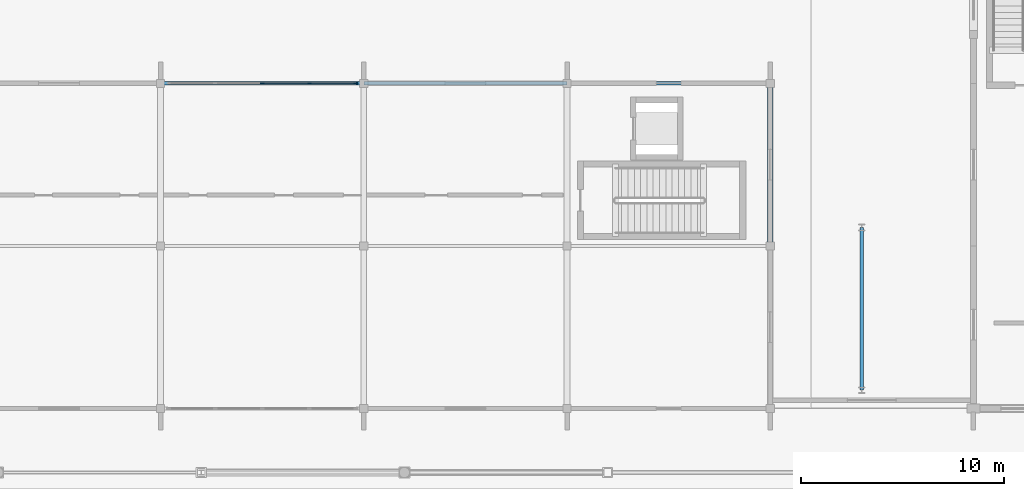
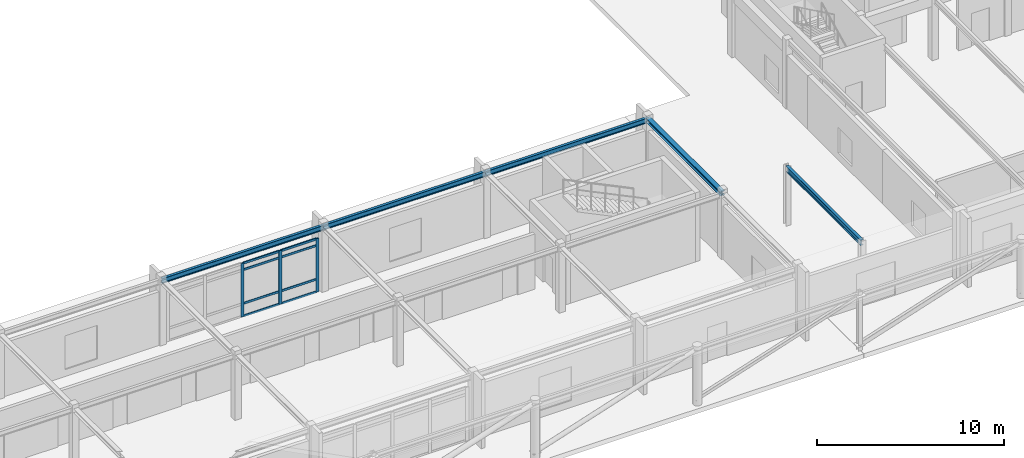
# One storey, part 11 of 61: 11 members, 5 beams, 1 element without a shape of its own.
"""IFC4 building model written with IfcOpenShell, lengths in metres."""

from ifc_helpers import new_model, si_unit, direction, frame, origin, origin_2d, place, context, subcontext, project, spatial, rectangle, i_section, extrude, material, material_profile, profile_set, type_object, element, aggregate, save


model = new_model("IFC4")

# Units and contexts
model_context = context("Model", 3, precision=1e-05, world=origin(), true_north=direction((0.0, 1.0)))
body_context = subcontext(model_context, "Body", "Model", "MODEL_VIEW")
ifc_project = project(units=[si_unit("LENGTHUNIT", "METRE"), si_unit("AREAUNIT", "SQUARE_METRE"), si_unit("VOLUMEUNIT", "CUBIC_METRE"), si_unit("PLANEANGLEUNIT", "RADIAN"), si_unit("MASSUNIT", "GRAM", prefix="KILO")], contexts=[model_context])

# Site, building, storey
site_placement = place(None, origin())
site = spatial("IfcSite", under=ifc_project, at=site_placement, CompositionType="ELEMENT")
building_placement = place(site_placement, origin())
building = spatial("IfcBuilding", under=site, at=building_placement, Name="Zimvara Arc Housing Community", CompositionType="ELEMENT")
storey_placement = place(building_placement, origin())
storey = spatial("IfcBuildingStorey", under=building, at=storey_placement, Name="L00", CompositionType="ELEMENT", Elevation=0.0)

# Beams
ifc_material_1 = material(Name="Steel S355", Category="steel")
ifc_material_profile_1 = material_profile(ifc_material_1, i_section(OverallWidth=0.280029296875, OverallDepth=0.27001953125, WebThickness=0.008056640625, FlangeThickness=0.012939453125, FilletRadius=0.02392578125, at=origin_2d()), Name="HEA 280")
ifc_profile_set_1 = profile_set([ifc_material_profile_1], Name="Steel S355")
beam_type_1 = type_object("IfcBeamType", Name="BM-ST-HEA280", PredefinedType="BEAM", material=ifc_profile_set_1)
beam_1_placement = place(storey_placement, frame((58.0, 11.60009765625, 4.1201171875), z_axis=(0.0, 1.0, 0.0), x_axis=(-1.0, 0.0, 0.0)))
element("IfcBeam", 1, at=beam_1_placement, inside=storey, type_object=beam_type_1, Name="bm:shops:L00:y:x6:b1", PredefinedType="BEAM", context=body_context, shape_type="SweptSolid", body=[
    extrude(i_section(OverallWidth=0.280029296875, OverallDepth=0.27001953125, WebThickness=0.008056640625, FlangeThickness=0.012939453125, FilletRadius=0.02392578125, at=origin_2d()), origin(), (0.0, 0.0, 1.0), 8.0),
])
ifc_material_2 = material(Name="Steel S355", Category="steel")
ifc_material_profile_2 = material_profile(ifc_material_2, i_section(OverallWidth=0.159912109375, OverallDepth=0.330078125, WebThickness=0.007568359375, FlangeThickness=0.011474609375, FilletRadius=0.01806640625, at=origin_2d()), Name="IPE 330")
ifc_profile_set_2 = profile_set([ifc_material_profile_2], Name="Steel S355")
beam_type_2 = type_object("IfcBeamType", Name="BM-ST-IPE330", PredefinedType="BEAM", material=ifc_profile_set_2)
for number, where, z_axis, x_axis, name in (
    (2, (28.0, 19.60009765625, 4.090087890625), (1.0, 0.0, 0.0), (0.0, 1.0, 0.0), "bm:shops:L00:x:y2:b3"),
    (3, (38.0, 19.60009765625, 4.090087890625), (1.0, 0.0, 0.0), (0.0, 1.0, 0.0), "bm:shops:L00:x:y2:b4"),
    (4, (48.0, 19.60009765625, 4.090087890625), (1.0, 0.0, 0.0), (0.0, 1.0, 0.0), "bm:shops:L00:x:y2:b5"),
):
    element("IfcBeam", number, at=place(storey_placement, frame(where, z_axis=z_axis, x_axis=x_axis)), inside=storey, type_object=beam_type_2, Name=name, PredefinedType="BEAM", context=body_context, shape_type="SweptSolid", body=[
        extrude(i_section(OverallWidth=0.159912109375, OverallDepth=0.330078125, WebThickness=0.007568359375, FlangeThickness=0.011474609375, FilletRadius=0.01806640625, at=origin_2d()), origin(), (0.0, 0.0, 1.0), 10.0),
    ])
ifc_material_3 = material(Name="Steel S355", Category="steel")
ifc_material_profile_3 = material_profile(ifc_material_3, i_section(OverallWidth=0.169921875, OverallDepth=0.360107421875, WebThickness=0.008056640625, FlangeThickness=0.0126953125, FilletRadius=0.01806640625, at=origin_2d()), Name="IPE 360")
ifc_profile_set_3 = profile_set([ifc_material_profile_3], Name="Steel S355")
beam_type_3 = type_object("IfcBeamType", Name="BM-ST-IPE360", PredefinedType="BEAM", material=ifc_profile_set_3)
beam_2_placement = place(storey_placement, frame((62.5, 4.5, 3.64990234375), z_axis=(0.0, 1.0, 0.0), x_axis=(-1.0, 0.0, 0.0)))
element("IfcBeam", 5, at=beam_2_placement, inside=storey, type_object=beam_type_3, Name="bm:portal:L00:w", PredefinedType="BEAM", context=body_context, shape_type="SweptSolid", body=[
    extrude(i_section(OverallWidth=0.169921875, OverallDepth=0.360107421875, WebThickness=0.008056640625, FlangeThickness=0.0126953125, FilletRadius=0.01806640625, at=origin_2d()), origin(), (0.0, 0.0, 1.0), 8.0),
])

# Curtain wall, members
ifc_material_4 = material(Name="Anodised Aluminium AW-6063", Category="aluminium")
curtain_wall_type = type_object("IfcCurtainWallType", Name="CW-SYS-06", PredefinedType="USERDEFINED", material=ifc_material_4)
curtain_wall_placement = place(storey_placement, origin())
curtain_wall = element("IfcCurtainWall", 6, at=curtain_wall_placement, inside=storey, type_object=curtain_wall_type, Name="cw:shops:L00:north:b3", ObjectType="CURTAIN WALL", PredefinedType="USERDEFINED")
ifc_material_5 = material(Name="Anodised Aluminium AW-6063", Category="aluminium")
ifc_material_profile_4 = material_profile(ifc_material_5, rectangle(XDim=0.06494140625, YDim=0.179931640625, at=origin_2d()), Name="ALU 65x180")
ifc_profile_set_4 = profile_set([ifc_material_profile_4], Name="Anodised Aluminium AW-6063")
member_type_1 = type_object("IfcMemberType", Name="CWM-65x150", PredefinedType="MULLION", material=ifc_profile_set_4)
member_1_placement = place(storey_placement, frame((33.0, 19.60009765625, 0.0), z_axis=(0.0, 0.0, 1.0), x_axis=(0.0, 1.0, 0.0)))
member_1 = element("IfcMember", 7, at=member_1_placement, type_object=member_type_1, Name="CW06 mullion 3", PredefinedType="MULLION", context=body_context, shape_type="SweptSolid", body=[
    extrude(rectangle(XDim=0.06494140625, YDim=0.179931640625, at=origin_2d()), origin(), (0.0, 0.0, 1.0), 3.5),
])
member_2_placement = place(storey_placement, frame((35.320068359375, 19.60009765625, 0.0), z_axis=(0.0, 0.0, 1.0), x_axis=(0.0, 1.0, 0.0)))
member_2 = element("IfcMember", 8, at=member_2_placement, type_object=member_type_1, Name="CW06 mullion 4", PredefinedType="MULLION", context=body_context, shape_type="SweptSolid", body=[
    extrude(rectangle(XDim=0.06494140625, YDim=0.179931640625, at=origin_2d()), origin(), (0.0, 0.0, 1.0), 3.5),
])
member_3_placement = place(storey_placement, frame((37.607421875, 19.60009765625, 0.0), z_axis=(0.0, 0.0, 1.0), x_axis=(0.0, 1.0, 0.0)))
member_3 = element("IfcMember", 9, at=member_3_placement, type_object=member_type_1, Name="CW06 mullion 5", PredefinedType="MULLION", context=body_context, shape_type="SweptSolid", body=[
    extrude(rectangle(XDim=0.06494140625, YDim=0.179931640625, at=origin_2d()), origin(), (0.0, 0.0, 1.0), 3.5),
])
ifc_material_6 = material(Name="Anodised Aluminium AW-6063", Category="aluminium")
ifc_material_profile_5 = material_profile(ifc_material_6, rectangle(XDim=0.06494140625, YDim=0.139892578125, at=origin_2d()), Name="ALU 65x140")
ifc_profile_set_5 = profile_set([ifc_material_profile_5], Name="Anodised Aluminium AW-6063")
member_type_2 = type_object("IfcMemberType", Name="CWT-65x120", PredefinedType="USERDEFINED", material=ifc_profile_set_5)
member_4_placement = place(storey_placement, frame((33.032470703125, 19.60009765625, 0.032470703125), z_axis=(1.0, 0.0, 0.0), x_axis=(0.0, 1.0, 0.0)))
member_4 = element("IfcMember", 10, at=member_4_placement, type_object=member_type_2, Name="CW06 transom 3.1", ObjectType="TRANSOM", PredefinedType="USERDEFINED", context=body_context, shape_type="SweptSolid", body=[
    extrude(rectangle(XDim=0.06494140625, YDim=0.139892578125, at=origin_2d()), origin(), (0.0, 0.0, 1.0), 2.255126953125),
])
member_5_placement = place(storey_placement, frame((33.032470703125, 19.60009765625, 0.85009765625), z_axis=(1.0, 0.0, 0.0), x_axis=(0.0, 1.0, 0.0)))
member_5 = element("IfcMember", 11, at=member_5_placement, type_object=member_type_2, Name="CW06 transom 3.2", ObjectType="TRANSOM", PredefinedType="USERDEFINED", context=body_context, shape_type="SweptSolid", body=[
    extrude(rectangle(XDim=0.06494140625, YDim=0.139892578125, at=origin_2d()), origin(), (0.0, 0.0, 1.0), 2.255126953125),
])
member_6_placement = place(storey_placement, frame((33.032470703125, 19.60009765625, 3.050048828125), z_axis=(1.0, 0.0, 0.0), x_axis=(0.0, 1.0, 0.0)))
member_6 = element("IfcMember", 12, at=member_6_placement, type_object=member_type_2, Name="CW06 transom 3.3", ObjectType="TRANSOM", PredefinedType="USERDEFINED", context=body_context, shape_type="SweptSolid", body=[
    extrude(rectangle(XDim=0.06494140625, YDim=0.139892578125, at=origin_2d()), origin(), (0.0, 0.0, 1.0), 2.255126953125),
])
member_7_placement = place(storey_placement, frame((33.032470703125, 19.60009765625, 3.467529296875), z_axis=(1.0, 0.0, 0.0), x_axis=(0.0, 1.0, 0.0)))
member_7 = element("IfcMember", 13, at=member_7_placement, type_object=member_type_2, Name="CW06 transom 3.4", ObjectType="TRANSOM", PredefinedType="USERDEFINED", context=body_context, shape_type="SweptSolid", body=[
    extrude(rectangle(XDim=0.06494140625, YDim=0.139892578125, at=origin_2d()), origin(), (0.0, 0.0, 1.0), 2.255126953125),
])
member_8_placement = place(storey_placement, frame((35.3525390625, 19.60009765625, 0.032470703125), z_axis=(1.0, 0.0, 0.0), x_axis=(0.0, 1.0, 0.0)))
member_8 = element("IfcMember", 14, at=member_8_placement, type_object=member_type_2, Name="CW06 transom 4.1", ObjectType="TRANSOM", PredefinedType="USERDEFINED", context=body_context, shape_type="SweptSolid", body=[
    extrude(rectangle(XDim=0.06494140625, YDim=0.139892578125, at=origin_2d()), origin(), (0.0, 0.0, 1.0), 2.222412109375),
])
member_9_placement = place(storey_placement, frame((35.3525390625, 19.60009765625, 0.85009765625), z_axis=(1.0, 0.0, 0.0), x_axis=(0.0, 1.0, 0.0)))
member_9 = element("IfcMember", 15, at=member_9_placement, type_object=member_type_2, Name="CW06 transom 4.2", ObjectType="TRANSOM", PredefinedType="USERDEFINED", context=body_context, shape_type="SweptSolid", body=[
    extrude(rectangle(XDim=0.06494140625, YDim=0.139892578125, at=origin_2d()), origin(), (0.0, 0.0, 1.0), 2.222412109375),
])
member_10_placement = place(storey_placement, frame((35.3525390625, 19.60009765625, 3.050048828125), z_axis=(1.0, 0.0, 0.0), x_axis=(0.0, 1.0, 0.0)))
member_10 = element("IfcMember", 16, at=member_10_placement, type_object=member_type_2, Name="CW06 transom 4.3", ObjectType="TRANSOM", PredefinedType="USERDEFINED", context=body_context, shape_type="SweptSolid", body=[
    extrude(rectangle(XDim=0.06494140625, YDim=0.139892578125, at=origin_2d()), origin(), (0.0, 0.0, 1.0), 2.222412109375),
])
member_11_placement = place(storey_placement, frame((35.3525390625, 19.60009765625, 3.467529296875), z_axis=(1.0, 0.0, 0.0), x_axis=(0.0, 1.0, 0.0)))
member_11 = element("IfcMember", 17, at=member_11_placement, type_object=member_type_2, Name="CW06 transom 4.4", ObjectType="TRANSOM", PredefinedType="USERDEFINED", context=body_context, shape_type="SweptSolid", body=[
    extrude(rectangle(XDim=0.06494140625, YDim=0.139892578125, at=origin_2d()), origin(), (0.0, 0.0, 1.0), 2.222412109375),
])
aggregate(curtain_wall, [member_1, member_2, member_3, member_4, member_5, member_6, member_7, member_8, member_9, member_10, member_11])

save(model, "model.ifc")
